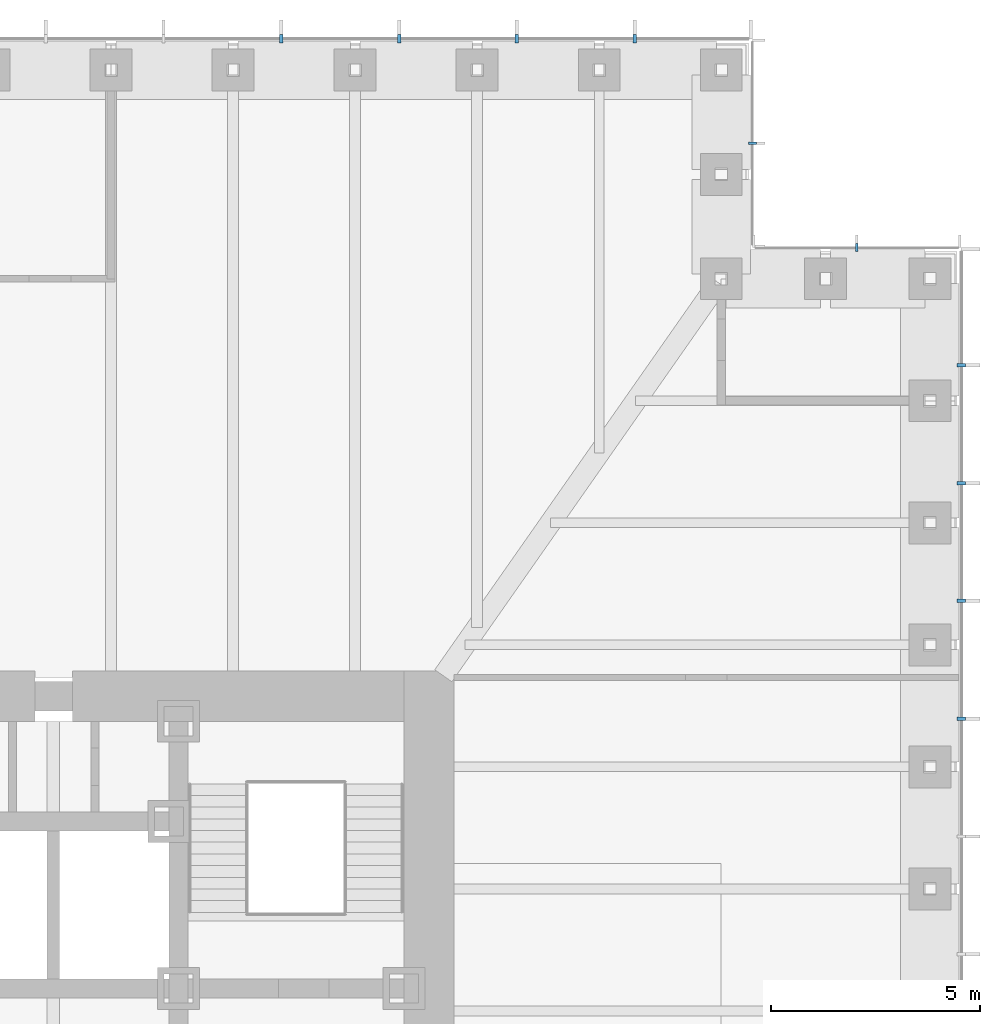
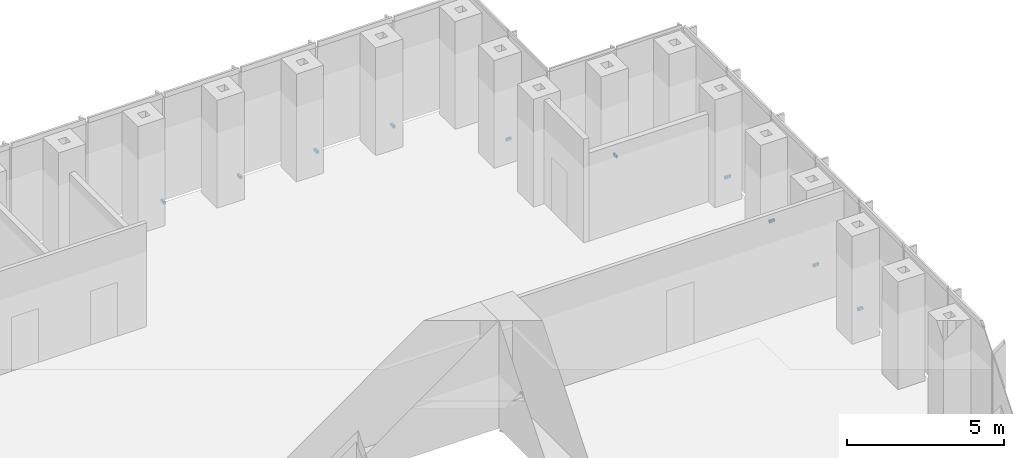
# One storey, part 15 of 16: 10 discrete accessories.
"""IFC4 building model written with IfcOpenShell, lengths in metres."""

from ifc_helpers import new_model, si_unit, direction, frame, origin, origin_2d, place, context, subcontext, project, spatial, rectangle, extrude, element, save


model = new_model("IFC4")

# Units and contexts
model_context = context("Model", 3, precision=1e-05, world=origin(), true_north=direction((0.0, 1.0)))
body_context = subcontext(model_context, "Body", "Model", "MODEL_VIEW")
ifc_project = project(units=[si_unit("LENGTHUNIT", "METRE"), si_unit("AREAUNIT", "SQUARE_METRE"), si_unit("VOLUMEUNIT", "CUBIC_METRE"), si_unit("PLANEANGLEUNIT", "RADIAN"), si_unit("MASSUNIT", "GRAM", prefix="KILO")], contexts=[model_context])

# Site, building, storey
site_placement = place(None, origin())
site = spatial("IfcSite", under=ifc_project, at=site_placement, CompositionType="ELEMENT")
building_placement = place(site_placement, origin())
building = spatial("IfcBuilding", under=site, at=building_placement, Name="Daluyong Arena Tower", CompositionType="ELEMENT")
storey_placement = place(building_placement, frame((0.0, 0.0, 39.10009765625)))
storey = spatial("IfcBuildingStorey", under=building, at=storey_placement, Name="L07", CompositionType="ELEMENT", Elevation=39.10009765625)

# Discrete accessories
for number, where, z_axis, x_axis, name in (
    (1, (80.75, 88.46435546875, -0.10009765625), (0.0, 0.0, 1.0), (0.0, 1.0, 0.0), "curtain wall L07 E anchor bracket 11"),
    (2, (80.75, 91.28564453125, -0.10009765625), (0.0, 0.0, 1.0), (0.0, 1.0, 0.0), "curtain wall L07 E anchor bracket 12"),
    (3, (80.75, 94.107177734375, -0.10009765625), (0.0, 0.0, 1.0), (0.0, 1.0, 0.0), "curtain wall L07 E anchor bracket 13"),
    (4, (80.75, 96.928466796875, -0.10009765625), (0.0, 0.0, 1.0), (0.0, 1.0, 0.0), "curtain wall L07 E anchor bracket 14"),
):
    element("IfcDiscreteAccessory", number, at=place(storey_placement, frame(where, z_axis=z_axis, x_axis=x_axis)), inside=storey, Name=name, PredefinedType="BRACKET", context=body_context, shape_type="SweptSolid", body=[
        extrude(rectangle(XDim=0.080078125, YDim=0.199951171875, at=origin_2d()), origin(), (0.0, 0.0, 1.0), 0.10009765625),
    ])
for number, where, z_axis, x_axis, name in (
    (5, (78.25, 99.75, -0.10009765625), (0.0, 0.0, 1.0), (-1.0, 0.0, 0.0), "curtain wall L07 NE-N anchor bracket 2"),
    (6, (75.75, 102.25, -0.10009765625), (0.0, 0.0, 1.0), (0.0, 1.0, 0.0), "curtain wall L07 NE-E anchor bracket 2"),
):
    element("IfcDiscreteAccessory", number, at=place(storey_placement, frame(where, z_axis=z_axis, x_axis=x_axis)), inside=storey, Name=name, PredefinedType="BRACKET", context=body_context, shape_type="SweptSolid", body=[
        extrude(rectangle(XDim=0.06005859375, YDim=0.199951171875, at=origin_2d()), origin(), (0.0, 0.0, 1.0), 0.10009765625),
    ])
for number, where, z_axis, x_axis, name in (
    (7, (72.928466796875, 104.75, -0.10009765625), (0.0, 0.0, 1.0), (-1.0, 0.0, 0.0), "curtain wall L07 N anchor bracket 2"),
    (8, (70.107177734375, 104.75, -0.10009765625), (0.0, 0.0, 1.0), (-1.0, 0.0, 0.0), "curtain wall L07 N anchor bracket 3"),
    (9, (67.28564453125, 104.75, -0.10009765625), (0.0, 0.0, 1.0), (-1.0, 0.0, 0.0), "curtain wall L07 N anchor bracket 4"),
    (10, (64.46435546875, 104.75, -0.10009765625), (0.0, 0.0, 1.0), (-1.0, 0.0, 0.0), "curtain wall L07 N anchor bracket 5"),
):
    element("IfcDiscreteAccessory", number, at=place(storey_placement, frame(where, z_axis=z_axis, x_axis=x_axis)), inside=storey, Name=name, PredefinedType="BRACKET", context=body_context, shape_type="SweptSolid", body=[
        extrude(rectangle(XDim=0.080078125, YDim=0.199951171875, at=origin_2d()), origin(), (0.0, 0.0, 1.0), 0.10009765625),
    ])

save(model, "model.ifc")
